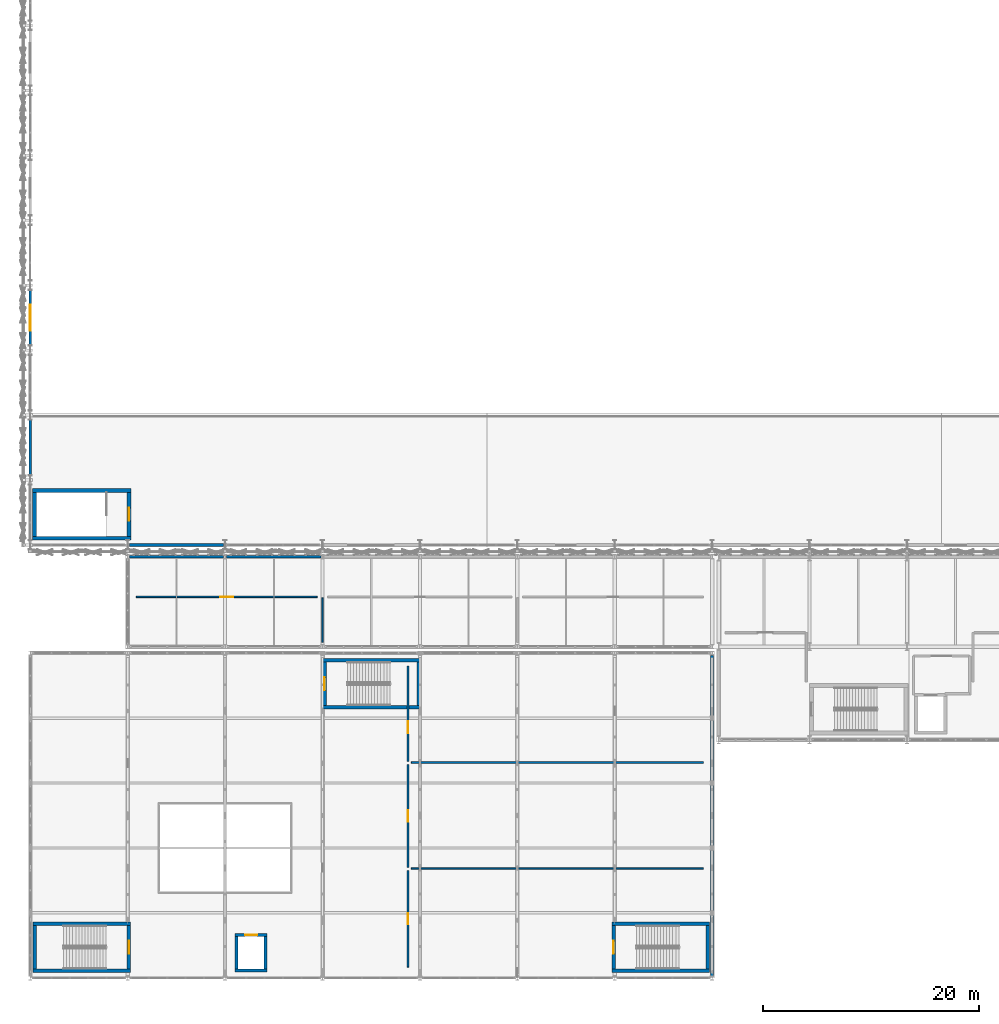
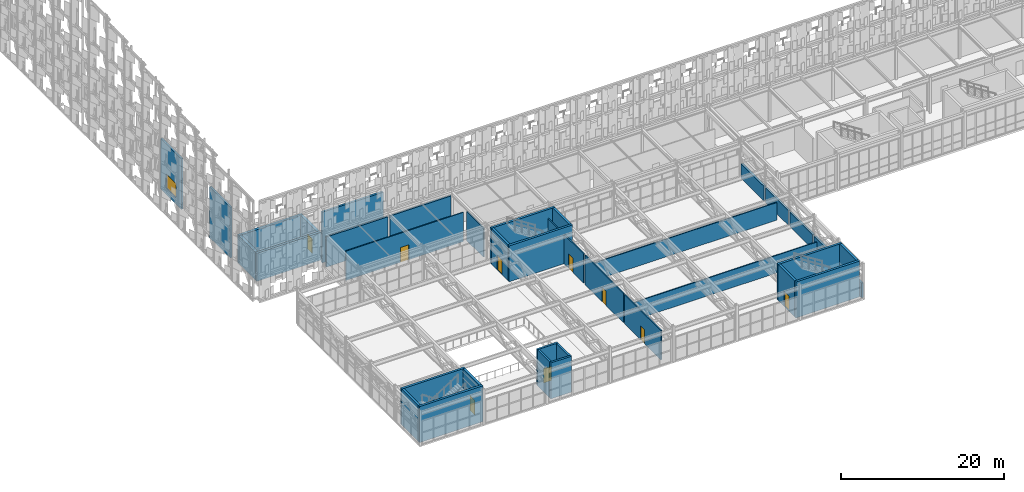
# One storey, part 155 of 210: 37 walls, 9 doors, 1 window, 10 openings.
"""IFC4 building model written with IfcOpenShell, lengths in metres."""

from ifc_helpers import new_model, si_unit, direction, frame, frame_2d, origin, place, context, subcontext, project, spatial, rectangle, extrude, material, layer, layer_set, type_object, element, fill, save


model = new_model("IFC4")

# Units and contexts
model_context = context("Model", 3, precision=1e-05, world=origin(), true_north=direction((0.0, 1.0)))
body_context = subcontext(model_context, "Body", "Model", "MODEL_VIEW")
ifc_project = project(units=[si_unit("LENGTHUNIT", "METRE"), si_unit("AREAUNIT", "SQUARE_METRE"), si_unit("VOLUMEUNIT", "CUBIC_METRE"), si_unit("PLANEANGLEUNIT", "RADIAN"), si_unit("MASSUNIT", "GRAM", prefix="KILO")], contexts=[model_context])

# Site, building, storey
site_placement = place(None, origin())
site = spatial("IfcSite", under=ifc_project, at=site_placement, CompositionType="ELEMENT")
building_placement = place(site_placement, origin())
building = spatial("IfcBuilding", under=site, at=building_placement, Name="Kaldris Quays Convention Centre", CompositionType="ELEMENT")
storey_placement = place(building_placement, frame((0.0, 0.0, 6.0)))
storey = spatial("IfcBuildingStorey", under=building, at=storey_placement, Name="L01", CompositionType="ELEMENT", Elevation=6.0)

# Walls
ifc_material_1 = material(Name="Precast concrete C40/50", Category="concrete")
ifc_layer_1 = layer(ifc_material_1, 0.2880859375)
ifc_layer_set_1 = layer_set([ifc_layer_1], Name="Precast concrete C40/50")
wall_type_1 = type_object("IfcWallType", Name="EXTERIOR WALL EW03", PredefinedType="STANDARD", material=ifc_layer_set_1)
wall_1_placement = place(storey_placement, frame((29.14599609375, 56.0, 0.0), z_axis=(0.0, 0.0, 1.0), x_axis=(1.0, 0.0, 0.0)))
element("IfcWall", 1, at=wall_1_placement, inside=storey, type_object=wall_type_1, Name="L01 Exterior Wall EW03 5", PredefinedType="STANDARD", context=body_context, shape_type="SweptSolid", body=[
    extrude(rectangle(XDim=8.7080078125, YDim=0.2880859375, at=frame_2d((4.35400390625, 0.0))), origin(), (0.0, 0.0, 1.0), 7.60009765625),
])
for number, where, z_axis, x_axis, name in (
    (2, (83.0, 16.193603515625, 0.0), (0.0, 0.0, 1.0), (0.0, 1.0, 0.0), "L01 Exterior Wall EW03 161"),
    (3, (83.0, 22.193603515625, 0.0), (0.0, 0.0, 1.0), (0.0, 1.0, 0.0), "L01 Exterior Wall EW03 162"),
    (4, (83.0, 28.193603515625, 0.0), (0.0, 0.0, 1.0), (0.0, 1.0, 0.0), "L01 Exterior Wall EW03 163"),
    (5, (83.0, 34.193603515625, 0.0), (0.0, 0.0, 1.0), (0.0, 1.0, 0.0), "L01 Exterior Wall EW03 164"),
    (6, (83.0, 40.193603515625, 0.0), (0.0, 0.0, 1.0), (0.0, 1.0, 0.0), "L01 Exterior Wall EW03 165"),
):
    element("IfcWall", number, at=place(storey_placement, frame(where, z_axis=z_axis, x_axis=x_axis)), inside=storey, type_object=wall_type_1, Name=name, PredefinedType="STANDARD", context=body_context, shape_type="SweptSolid", body=[
        extrude(rectangle(XDim=5.61279296875, YDim=0.2880859375, at=frame_2d((2.806396484375, 0.0))), origin(), (0.0, 0.0, 1.0), 2.199951171875),
    ])
ifc_layer_2 = layer(ifc_material_1, 0.263916015625)
ifc_layer_set_2 = layer_set([ifc_layer_2], Name="Precast concrete C40/50")
wall_type_2 = type_object("IfcWallType", Name="EXTERIOR WALL EW04", PredefinedType="STANDARD", material=ifc_layer_set_2)
wall_2_placement = place(storey_placement, frame((20.0, 62.446044921875, 0.0), z_axis=(0.0, 0.0, 1.0), x_axis=(0.0, 1.0, 0.0)))
element("IfcWall", 7, at=wall_2_placement, inside=storey, type_object=wall_type_2, Name="L01 Exterior Wall EW04 47", PredefinedType="STANDARD", context=body_context, shape_type="SweptSolid", body=[
    extrude(rectangle(XDim=5.10791015625, YDim=0.263916015625, at=frame_2d((2.553955078125, 0.0))), origin(), (0.0, 0.0, 1.0), 7.60009765625),
])

# Wall, opening, window
wall_3_placement = place(storey_placement, frame((20.0, 74.446044921875, 0.0), z_axis=(0.0, 0.0, 1.0), x_axis=(0.0, 1.0, 0.0)))
wall_3 = element("IfcWall", 8, at=wall_3_placement, inside=storey, type_object=wall_type_2, Name="L01 Exterior Wall EW04 54", PredefinedType="STANDARD", context=body_context, shape_type="SweptSolid", body=[
    extrude(rectangle(XDim=5.10791015625, YDim=0.263916015625, at=frame_2d((2.553955078125, 0.0))), origin(), (0.0, 0.0, 1.0), 7.60009765625),
])
opening_1_placement = place(wall_3_placement, frame((1.35400390625, 0.0, 1.0)))
opening_1 = element("IfcOpeningElement", 9, at=opening_1_placement, cuts=wall_3, Name="Opening WN01", PredefinedType="OPENING", context=body_context, shape_type="SweptSolid", body=[
    extrude(rectangle(XDim=2.39990234375, YDim=2.10009765625, at=frame_2d((1.199951171875, 1.050048828125))), frame((0.0, 0.14208984375, 0.0), z_axis=(0.0, -1.0, 0.0), x_axis=(1.0, 0.0, 0.0)), (0.0, 0.0, 1.0), 0.283935546875),
])
ifc_material_2 = material(Name="Triple low-E insulated glazing", Category="glass")
window_type = type_object("IfcWindowType", Name="TRIPLE GLAZED WINDOW WN01", PartitioningType="SINGLE_PANEL", PredefinedType="WINDOW", material=ifc_material_2)
window_placement = place(opening_1_placement, origin())
window = element("IfcWindow", 10, at=window_placement, inside=storey, type_object=window_type, Name="L01 Exterior Window WN01 18", OverallHeight=2.10009765625, OverallWidth=2.39990234375, PartitioningType="SINGLE_PANEL", PredefinedType="WINDOW", context=body_context, shape_type="SweptSolid", body=[
    extrude(rectangle(XDim=2.39990234375, YDim=2.10009765625, at=frame_2d((1.199951171875, 1.050048828125))), frame((0.0, 0.030029296875, 0.0), z_axis=(0.0, -1.0, 0.0), x_axis=(1.0, 0.0, 0.0)), (0.0, 0.0, 1.0), 0.06005859375),
])
fill(opening_1, window)

# Walls
ifc_material_3 = material(Name="Anodized aluminium insulated cassette", Category="aluminium")
ifc_layer_3 = layer(ifc_material_3, 0.221923828125)
ifc_layer_set_3 = layer_set([ifc_layer_3], Name="Anodized aluminium insulated cassette")
wall_type_3 = type_object("IfcWallType", Name="EXTERIOR WALL EW06", PredefinedType="STANDARD", material=ifc_layer_set_3)
for number, where, z_axis, x_axis, name in (
    (11, (29.14599609375, 54.89990234375, 0.0), (0.0, 0.0, 1.0), (1.0, 0.0, 0.0), "L01 Exterior Wall EW06 215"),
    (12, (38.14599609375, 54.89990234375, 0.0), (0.0, 0.0, 1.0), (1.0, 0.0, 0.0), "L01 Exterior Wall EW06 216"),
):
    element("IfcWall", number, at=place(storey_placement, frame(where, z_axis=z_axis, x_axis=x_axis)), inside=storey, type_object=wall_type_3, Name=name, PredefinedType="STANDARD", context=body_context, shape_type="SweptSolid", body=[
        extrude(rectangle(XDim=8.7080078125, YDim=0.221923828125, at=frame_2d((4.35400390625, 0.0))), origin(), (0.0, 0.0, 1.0), 4.528076171875),
    ])

# Wall, opening, door
ifc_material_4 = material(Name="Acoustic gypsum stud partition", Category="gypsum")
ifc_layer_4 = layer(ifc_material_4, 0.162109375)
ifc_layer_set_4 = layer_set([ifc_layer_4], Name="Acoustic gypsum stud partition")
wall_type_4 = type_object("IfcWallType", Name="INTERIOR WALL IW03", PredefinedType="PARTITIONING", material=ifc_layer_set_4)
wall_4_placement = place(storey_placement, frame((54.89990234375, 17.0, 0.0), z_axis=(0.0, 0.0, 1.0), x_axis=(0.0, 1.0, 0.0)))
wall_4 = element("IfcWall", 13, at=wall_4_placement, inside=storey, type_object=wall_type_4, Name="L01 Interior Wall IW03 43", PredefinedType="PARTITIONING", context=body_context, shape_type="SweptSolid", body=[
    extrude(rectangle(XDim=8.89990234375, YDim=0.162109375, at=frame_2d((4.449951171875, 0.0))), origin(), (0.0, 0.0, 1.0), 4.39990234375),
])
opening_2_placement = place(wall_4_placement, frame((3.949951171875, 0.0, 0.0)))
opening_2 = element("IfcOpeningElement", 14, at=opening_2_placement, cuts=wall_4, Name="Opening ID04", PredefinedType="OPENING", context=body_context, shape_type="SweptSolid", body=[
    extrude(rectangle(XDim=1.0, YDim=2.14990234375, at=frame_2d((0.5, 1.074951171875))), frame((0.0, 0.091064453125, 0.0), z_axis=(0.0, -1.0, 0.0), x_axis=(1.0, 0.0, 0.0)), (0.0, 0.0, 1.0), 0.18212890625),
])
ifc_material_5 = material(Name="Timber acoustic leaf in steel frame", Category="steel")
door_type_1 = type_object("IfcDoorType", Name="INTERIOR DOOR ID04", OperationType="NOTDEFINED", PredefinedType="DOOR", material=ifc_material_5)
door_1_placement = place(opening_2_placement, origin())
door_1 = element("IfcDoor", 15, at=door_1_placement, inside=storey, type_object=door_type_1, Name="L01 Interior Door ID04 32", OperationType="SINGLE_SWING_RIGHT", OverallHeight=2.14990234375, OverallWidth=1.0, PredefinedType="DOOR", context=body_context, shape_type="SweptSolid", body=[
    extrude(rectangle(XDim=1.0, YDim=2.14990234375, at=frame_2d((0.5, 1.074951171875))), frame((0.0, 0.02490234375, 0.0), z_axis=(0.0, -1.0, 0.0), x_axis=(1.0, 0.0, 0.0)), (0.0, 0.0, 1.0), 0.050048828125),
])
fill(opening_2, door_1)

wall_5_placement = place(storey_placement, frame((54.89990234375, 26.199951171875, 0.0), z_axis=(0.0, 0.0, 1.0), x_axis=(0.0, 1.0, 0.0)))
wall_5 = element("IfcWall", 16, at=wall_5_placement, inside=storey, type_object=wall_type_4, Name="L01 Interior Wall IW03 44", PredefinedType="PARTITIONING", context=body_context, shape_type="SweptSolid", body=[
    extrude(rectangle(XDim=9.5, YDim=0.162109375, at=frame_2d((4.75, 0.0))), origin(), (0.0, 0.0, 1.0), 4.39990234375),
])
opening_3_placement = place(wall_5_placement, frame((4.219970703125, 0.0, 0.0)))
opening_3 = element("IfcOpeningElement", 17, at=opening_3_placement, cuts=wall_5, Name="Opening ID05", PredefinedType="OPENING", context=body_context, shape_type="SweptSolid", body=[
    extrude(rectangle(XDim=1.06005859375, YDim=2.179931640625, at=frame_2d((0.530029296875, 1.08984375))), frame((0.0, 0.091064453125, 0.0), z_axis=(0.0, -1.0, 0.0), x_axis=(1.0, 0.0, 0.0)), (0.0, 0.0, 1.0), 0.18212890625),
])
door_type_2 = type_object("IfcDoorType", Name="INTERIOR DOOR ID05", OperationType="NOTDEFINED", PredefinedType="DOOR", material=ifc_material_5)
door_2_placement = place(opening_3_placement, origin())
door_2 = element("IfcDoor", 18, at=door_2_placement, inside=storey, type_object=door_type_2, Name="L01 Interior Door ID05 33", OperationType="SINGLE_SWING_LEFT", OverallHeight=2.179931640625, OverallWidth=1.06005859375, PredefinedType="DOOR", context=body_context, shape_type="SweptSolid", body=[
    extrude(rectangle(XDim=1.06005859375, YDim=2.179931640625, at=frame_2d((0.530029296875, 1.08984375))), frame((0.0, 0.02490234375, 0.0), z_axis=(0.0, -1.0, 0.0), x_axis=(1.0, 0.0, 0.0)), (0.0, 0.0, 1.0), 0.050048828125),
])
fill(opening_3, door_2)

wall_6_placement = place(storey_placement, frame((54.89990234375, 36.0, 0.0), z_axis=(0.0, 0.0, 1.0), x_axis=(0.0, 1.0, 0.0)))
wall_6 = element("IfcWall", 19, at=wall_6_placement, inside=storey, type_object=wall_type_4, Name="L01 Interior Wall IW03 45", PredefinedType="PARTITIONING", context=body_context, shape_type="SweptSolid", body=[
    extrude(rectangle(XDim=8.800048828125, YDim=0.162109375, at=frame_2d((4.39990234375, 0.0))), origin(), (0.0, 0.0, 1.0), 4.39990234375),
])
opening_4_placement = place(wall_6_placement, frame((2.590087890625, 0.0, 0.0)))
opening_4 = element("IfcOpeningElement", 20, at=opening_4_placement, cuts=wall_6, Name="Opening ID06", PredefinedType="OPENING", context=body_context, shape_type="SweptSolid", body=[
    extrude(rectangle(XDim=1.1201171875, YDim=2.219970703125, at=frame_2d((0.56005859375, 1.10986328125))), frame((0.0, 0.091064453125, 0.0), z_axis=(0.0, -1.0, 0.0), x_axis=(1.0, 0.0, 0.0)), (0.0, 0.0, 1.0), 0.18212890625),
])
door_type_3 = type_object("IfcDoorType", Name="INTERIOR DOOR ID06", OperationType="NOTDEFINED", PredefinedType="DOOR", material=ifc_material_5)
door_3_placement = place(opening_4_placement, origin())
door_3 = element("IfcDoor", 21, at=door_3_placement, inside=storey, type_object=door_type_3, Name="L01 Interior Door ID06 34", OperationType="SINGLE_SWING_RIGHT", OverallHeight=2.219970703125, OverallWidth=1.1201171875, PredefinedType="DOOR", context=body_context, shape_type="SweptSolid", body=[
    extrude(rectangle(XDim=1.1201171875, YDim=2.219970703125, at=frame_2d((0.56005859375, 1.10986328125))), frame((0.0, 0.02490234375, 0.0), z_axis=(0.0, -1.0, 0.0), x_axis=(1.0, 0.0, 0.0)), (0.0, 0.0, 1.0), 0.050048828125),
])
fill(opening_4, door_3)

ifc_layer_5 = layer(ifc_material_4, 0.14794921875)
ifc_layer_set_5 = layer_set([ifc_layer_5], Name="Acoustic gypsum stud partition")
wall_type_5 = type_object("IfcWallType", Name="INTERIOR WALL IW04", PredefinedType="PARTITIONING", material=ifc_layer_set_5)
wall_7_placement = place(storey_placement, frame((29.800048828125, 51.199951171875, 0.0), z_axis=(0.0, 0.0, 1.0), x_axis=(1.0, 0.0, 0.0)))
wall_7 = element("IfcWall", 22, at=wall_7_placement, inside=storey, type_object=wall_type_5, Name="L01 Interior Wall IW04 48", PredefinedType="PARTITIONING", context=body_context, shape_type="SweptSolid", body=[
    extrude(rectangle(XDim=16.699951171875, YDim=0.14794921875, at=frame_2d((8.35009765625, 0.0))), origin(), (0.0, 0.0, 1.0), 4.39990234375),
])
opening_5_placement = place(wall_7_placement, frame((7.760009765625, 0.0, 0.0)))
opening_5 = element("IfcOpeningElement", 23, at=opening_5_placement, cuts=wall_7, Name="Opening ID07", PredefinedType="OPENING", context=body_context, shape_type="SweptSolid", body=[
    extrude(rectangle(XDim=1.179931640625, YDim=2.25, at=frame_2d((0.58984375, 1.125))), frame((0.0, 0.083984375, 0.0), z_axis=(0.0, -1.0, 0.0), x_axis=(1.0, 0.0, 0.0)), (0.0, 0.0, 1.0), 0.16796875),
])
door_type_4 = type_object("IfcDoorType", Name="INTERIOR DOOR ID07", OperationType="NOTDEFINED", PredefinedType="DOOR", material=ifc_material_5)
door_4_placement = place(opening_5_placement, origin())
door_4 = element("IfcDoor", 24, at=door_4_placement, inside=storey, type_object=door_type_4, Name="L01 Interior Door ID07 35", OperationType="SINGLE_SWING_LEFT", OverallHeight=2.25, OverallWidth=1.179931640625, PredefinedType="DOOR", context=body_context, shape_type="SweptSolid", body=[
    extrude(rectangle(XDim=1.179931640625, YDim=2.25, at=frame_2d((0.58984375, 1.125))), frame((0.0, 0.02490234375, 0.0), z_axis=(0.0, -1.0, 0.0), x_axis=(1.0, 0.0, 0.0)), (0.0, 0.0, 1.0), 0.050048828125),
])
fill(opening_5, door_4)

# Walls
ifc_material_6 = material(Name="Steel S355J2 acoustic operable panel", Category="steel")
ifc_layer_6 = layer(ifc_material_6, 0.14208984375)
ifc_layer_set_6 = layer_set([ifc_layer_6], Name="Steel S355J2 acoustic operable panel")
wall_type_6 = type_object("IfcWallType", Name="INTERIOR WALL MW01", PredefinedType="MOVABLE", material=ifc_layer_set_6)
for number, where, z_axis, x_axis, name in (
    (25, (55.199951171875, 26.10009765625, 0.0), (0.0, 0.0, 1.0), (1.0, 0.0, 0.0), "L01 Interior Wall MW01 46"),
    (26, (55.199951171875, 35.89990234375, 0.0), (0.0, 0.0, 1.0), (1.0, 0.0, 0.0), "L01 Interior Wall MW01 47"),
):
    element("IfcWall", number, at=place(storey_placement, frame(where, z_axis=z_axis, x_axis=x_axis)), inside=storey, type_object=wall_type_6, Name=name, PredefinedType="MOVABLE", context=body_context, shape_type="SweptSolid", body=[
        extrude(rectangle(XDim=27.0, YDim=0.14208984375, at=frame_2d((13.5, 0.0))), origin(), (0.0, 0.0, 1.0), 2.64990234375),
    ])
wall_8_placement = place(storey_placement, frame((47.0, 47.0, 0.0), z_axis=(0.0, 0.0, 1.0), x_axis=(0.0, 1.0, 0.0)))
element("IfcWall", 27, at=wall_8_placement, inside=storey, type_object=wall_type_6, Name="L01 Interior Wall MW01 51", PredefinedType="MOVABLE", context=body_context, shape_type="SweptSolid", body=[
    extrude(rectangle(XDim=4.10009765625, YDim=0.14208984375, at=frame_2d((2.050048828125, 0.0))), origin(), (0.0, 0.0, 1.0), 4.39990234375),
])
ifc_material_7 = material(Name="Concrete C40/50", Category="concrete")
ifc_layer_7 = layer(ifc_material_7, 0.35009765625)
ifc_layer_set_7 = layer_set([ifc_layer_7], Name="Concrete C40/50")
wall_type_7 = type_object("IfcWallType", Name="STRUCTURAL WALL SW01", PredefinedType="SHEAR", material=ifc_layer_set_7)
for number, where, z_axis, x_axis, name in (
    (28, (20.199951171875, 56.625, 0.0), (0.0, 0.0, 1.0), (1.0, 0.0, 0.0), "L01 Core Shear Wall CORE-ST01-L01-S"),
    (29, (20.199951171875, 61.02490234375, 0.0), (0.0, 0.0, 1.0), (1.0, 0.0, 0.0), "L01 Core Shear Wall CORE-ST01-L01-N"),
):
    element("IfcWall", number, at=place(storey_placement, frame(where, z_axis=z_axis, x_axis=x_axis)), inside=storey, type_object=wall_type_7, Name=name, PredefinedType="SHEAR", context=body_context, shape_type="SweptSolid", body=[
        extrude(rectangle(XDim=9.10009765625, YDim=0.35009765625, at=frame_2d((4.550048828125, 0.0))), origin(), (0.0, 0.0, 1.0), 4.199951171875),
    ])
wall_9_placement = place(storey_placement, frame((20.375, 56.800048828125, 0.0), z_axis=(0.0, 0.0, 1.0), x_axis=(0.0, 1.0, 0.0)))
element("IfcWall", 30, at=wall_9_placement, inside=storey, type_object=wall_type_7, Name="L01 Core Shear Wall CORE-ST01-L01-W", PredefinedType="SHEAR", context=body_context, shape_type="SweptSolid", body=[
    extrude(rectangle(XDim=4.050048828125, YDim=0.35009765625, at=frame_2d((2.02490234375, 0.0))), origin(), (0.0, 0.0, 1.0), 4.199951171875),
])

# Wall, opening, door
wall_10_placement = place(storey_placement, frame((29.125, 56.800048828125, 0.0), z_axis=(0.0, 0.0, 1.0), x_axis=(0.0, 1.0, 0.0)))
wall_10 = element("IfcWall", 31, at=wall_10_placement, inside=storey, type_object=wall_type_7, Name="L01 Core Shear Wall CORE-ST01-L01-E", PredefinedType="SHEAR", context=body_context, shape_type="SweptSolid", body=[
    extrude(rectangle(XDim=4.050048828125, YDim=0.35009765625, at=frame_2d((2.02490234375, 0.0))), origin(), (0.0, 0.0, 1.0), 4.199951171875),
])
opening_6_placement = place(wall_10_placement, frame((1.425048828125, 0.0, 0.0)))
opening_6 = element("IfcOpeningElement", 32, at=opening_6_placement, cuts=wall_10, Name="Opening ID03", PredefinedType="OPENING", context=body_context, shape_type="SweptSolid", body=[
    extrude(rectangle(XDim=1.199951171875, YDim=2.199951171875, at=frame_2d((0.60009765625, 1.10009765625))), frame((0.0, 0.18505859375, 0.0), z_axis=(0.0, -1.0, 0.0), x_axis=(1.0, 0.0, 0.0)), (0.0, 0.0, 1.0), 0.3701171875),
])
ifc_material_8 = material(Name="Steel S355J2 fire-resisting door", Category="steel")
door_type_5 = type_object("IfcDoorType", Name="INTERIOR DOOR ID03", OperationType="NOTDEFINED", PredefinedType="DOOR", material=ifc_material_8)
door_5_placement = place(opening_6_placement, origin())
door_5 = element("IfcDoor", 33, at=door_5_placement, inside=storey, type_object=door_type_5, Name="L01 Escape Stair ST01 Fire Door", OperationType="SINGLE_SWING_LEFT", OverallHeight=2.199951171875, OverallWidth=1.199951171875, PredefinedType="DOOR", context=body_context, shape_type="SweptSolid", body=[
    extrude(rectangle(XDim=1.199951171875, YDim=2.199951171875, at=frame_2d((0.60009765625, 1.10009765625))), frame((0.0, 0.02490234375, 0.0), z_axis=(0.0, -1.0, 0.0), x_axis=(1.0, 0.0, 0.0)), (0.0, 0.0, 1.0), 0.050048828125),
])
fill(opening_6, door_5)

# Walls
ifc_layer_8 = layer(ifc_material_7, 0.320068359375)
ifc_layer_set_8 = layer_set([ifc_layer_8], Name="Concrete C40/50")
wall_type_8 = type_object("IfcWallType", Name="STRUCTURAL WALL SW02", PredefinedType="SHEAR", material=ifc_layer_set_8)
for number, where, z_axis, x_axis, name in (
    (34, (20.22998046875, 16.639892578125, 0.0), (0.0, 0.0, 1.0), (1.0, 0.0, 0.0), "L01 Core Shear Wall CORE-ST05-L01-S"),
    (35, (20.22998046875, 21.010009765625, 0.0), (0.0, 0.0, 1.0), (1.0, 0.0, 0.0), "L01 Core Shear Wall CORE-ST05-L01-N"),
):
    element("IfcWall", number, at=place(storey_placement, frame(where, z_axis=z_axis, x_axis=x_axis)), inside=storey, type_object=wall_type_8, Name=name, PredefinedType="SHEAR", context=body_context, shape_type="SweptSolid", body=[
        extrude(rectangle(XDim=9.0400390625, YDim=0.320068359375, at=frame_2d((4.52001953125, 0.0))), origin(), (0.0, 0.0, 1.0), 5.39990234375),
    ])
wall_11_placement = place(storey_placement, frame((20.389892578125, 16.800048828125, 0.0), z_axis=(0.0, 0.0, 1.0), x_axis=(0.0, 1.0, 0.0)))
element("IfcWall", 36, at=wall_11_placement, inside=storey, type_object=wall_type_8, Name="L01 Core Shear Wall CORE-ST05-L01-W", PredefinedType="SHEAR", context=body_context, shape_type="SweptSolid", body=[
    extrude(rectangle(XDim=4.050048828125, YDim=0.320068359375, at=frame_2d((2.02490234375, 0.0))), origin(), (0.0, 0.0, 1.0), 5.39990234375),
])

# Wall, opening, door
wall_12_placement = place(storey_placement, frame((29.110107421875, 16.800048828125, 0.0), z_axis=(0.0, 0.0, 1.0), x_axis=(0.0, 1.0, 0.0)))
wall_12 = element("IfcWall", 37, at=wall_12_placement, inside=storey, type_object=wall_type_8, Name="L01 Core Shear Wall CORE-ST05-L01-E", PredefinedType="SHEAR", context=body_context, shape_type="SweptSolid", body=[
    extrude(rectangle(XDim=4.050048828125, YDim=0.320068359375, at=frame_2d((2.02490234375, 0.0))), origin(), (0.0, 0.0, 1.0), 5.39990234375),
])
opening_7_placement = place(wall_12_placement, frame((1.425048828125, 0.0, 0.0)))
opening_7 = element("IfcOpeningElement", 38, at=opening_7_placement, cuts=wall_12, Name="Opening ID03", PredefinedType="OPENING", context=body_context, shape_type="SweptSolid", body=[
    extrude(rectangle(XDim=1.199951171875, YDim=2.199951171875, at=frame_2d((0.60009765625, 1.10009765625))), frame((0.0, 0.169921875, 0.0), z_axis=(0.0, -1.0, 0.0), x_axis=(1.0, 0.0, 0.0)), (0.0, 0.0, 1.0), 0.340087890625),
])
door_6_placement = place(opening_7_placement, origin())
door_6 = element("IfcDoor", 39, at=door_6_placement, inside=storey, type_object=door_type_5, Name="L01 Escape Stair ST05 Fire Door", OperationType="SINGLE_SWING_LEFT", OverallHeight=2.199951171875, OverallWidth=1.199951171875, PredefinedType="DOOR", context=body_context, shape_type="SweptSolid", body=[
    extrude(rectangle(XDim=1.199951171875, YDim=2.199951171875, at=frame_2d((0.60009765625, 1.10009765625))), frame((0.0, 0.02490234375, 0.0), z_axis=(0.0, -1.0, 0.0), x_axis=(1.0, 0.0, 0.0)), (0.0, 0.0, 1.0), 0.050048828125),
])
fill(opening_7, door_6)

# Walls
for number, where, z_axis, x_axis, name in (
    (40, (73.72998046875, 16.639892578125, 0.0), (0.0, 0.0, 1.0), (1.0, 0.0, 0.0), "L01 Core Shear Wall CORE-ST06-L01-S"),
    (41, (73.72998046875, 21.010009765625, 0.0), (0.0, 0.0, 1.0), (1.0, 0.0, 0.0), "L01 Core Shear Wall CORE-ST06-L01-N"),
):
    element("IfcWall", number, at=place(storey_placement, frame(where, z_axis=z_axis, x_axis=x_axis)), inside=storey, type_object=wall_type_8, Name=name, PredefinedType="SHEAR", context=body_context, shape_type="SweptSolid", body=[
        extrude(rectangle(XDim=9.0400390625, YDim=0.320068359375, at=frame_2d((4.52001953125, 0.0))), origin(), (0.0, 0.0, 1.0), 5.39990234375),
    ])

# Wall, opening, door
wall_13_placement = place(storey_placement, frame((73.889892578125, 16.800048828125, 0.0), z_axis=(0.0, 0.0, 1.0), x_axis=(0.0, 1.0, 0.0)))
wall_13 = element("IfcWall", 42, at=wall_13_placement, inside=storey, type_object=wall_type_8, Name="L01 Core Shear Wall CORE-ST06-L01-W", PredefinedType="SHEAR", context=body_context, shape_type="SweptSolid", body=[
    extrude(rectangle(XDim=4.050048828125, YDim=0.320068359375, at=frame_2d((2.02490234375, 0.0))), origin(), (0.0, 0.0, 1.0), 5.39990234375),
])
opening_8_placement = place(wall_13_placement, frame((1.425048828125, 0.0, 0.0)))
opening_8 = element("IfcOpeningElement", 43, at=opening_8_placement, cuts=wall_13, Name="Opening ID03", PredefinedType="OPENING", context=body_context, shape_type="SweptSolid", body=[
    extrude(rectangle(XDim=1.199951171875, YDim=2.199951171875, at=frame_2d((0.60009765625, 1.10009765625))), frame((0.0, 0.169921875, 0.0), z_axis=(0.0, -1.0, 0.0), x_axis=(1.0, 0.0, 0.0)), (0.0, 0.0, 1.0), 0.340087890625),
])
door_7_placement = place(opening_8_placement, frame((1.199951171875, 0.0, 0.0), z_axis=(0.0, 0.0, 1.0), x_axis=(-1.0, 0.0, 0.0)))
door_7 = element("IfcDoor", 44, at=door_7_placement, inside=storey, type_object=door_type_5, Name="L01 Escape Stair ST06 Fire Door", OperationType="SINGLE_SWING_RIGHT", OverallHeight=2.199951171875, OverallWidth=1.199951171875, PredefinedType="DOOR", context=body_context, shape_type="SweptSolid", body=[
    extrude(rectangle(XDim=1.199951171875, YDim=2.199951171875, at=frame_2d((0.60009765625, 1.10009765625))), frame((0.0, 0.02490234375, 0.0), z_axis=(0.0, -1.0, 0.0), x_axis=(1.0, 0.0, 0.0)), (0.0, 0.0, 1.0), 0.050048828125),
])
fill(opening_8, door_7)

# Walls
wall_14_placement = place(storey_placement, frame((82.610107421875, 16.800048828125, 0.0), z_axis=(0.0, 0.0, 1.0), x_axis=(0.0, 1.0, 0.0)))
element("IfcWall", 45, at=wall_14_placement, inside=storey, type_object=wall_type_8, Name="L01 Core Shear Wall CORE-ST06-L01-E", PredefinedType="SHEAR", context=body_context, shape_type="SweptSolid", body=[
    extrude(rectangle(XDim=4.050048828125, YDim=0.320068359375, at=frame_2d((2.02490234375, 0.0))), origin(), (0.0, 0.0, 1.0), 5.39990234375),
])
for number, where, z_axis, x_axis, name in (
    (46, (47.030029296875, 40.989990234375, 0.0), (0.0, 0.0, 1.0), (1.0, 0.0, 0.0), "L01 Core Shear Wall CORE-ST07-L01-S"),
    (47, (47.030029296875, 45.360107421875, 0.0), (0.0, 0.0, 1.0), (1.0, 0.0, 0.0), "L01 Core Shear Wall CORE-ST07-L01-N"),
):
    element("IfcWall", number, at=place(storey_placement, frame(where, z_axis=z_axis, x_axis=x_axis)), inside=storey, type_object=wall_type_8, Name=name, PredefinedType="SHEAR", context=body_context, shape_type="SweptSolid", body=[
        extrude(rectangle(XDim=9.0400390625, YDim=0.320068359375, at=frame_2d((4.52001953125, 0.0))), origin(), (0.0, 0.0, 1.0), 5.39990234375),
    ])

# Wall, opening, door
wall_15_placement = place(storey_placement, frame((47.18994140625, 41.14990234375, 0.0), z_axis=(0.0, 0.0, 1.0), x_axis=(0.0, 1.0, 0.0)))
wall_15 = element("IfcWall", 48, at=wall_15_placement, inside=storey, type_object=wall_type_8, Name="L01 Core Shear Wall CORE-ST07-L01-W", PredefinedType="SHEAR", context=body_context, shape_type="SweptSolid", body=[
    extrude(rectangle(XDim=4.050048828125, YDim=0.320068359375, at=frame_2d((2.02490234375, 0.0))), origin(), (0.0, 0.0, 1.0), 5.39990234375),
])
opening_9_placement = place(wall_15_placement, frame((1.425048828125, 0.0, 0.0)))
opening_9 = element("IfcOpeningElement", 49, at=opening_9_placement, cuts=wall_15, Name="Opening ID03", PredefinedType="OPENING", context=body_context, shape_type="SweptSolid", body=[
    extrude(rectangle(XDim=1.199951171875, YDim=2.199951171875, at=frame_2d((0.60009765625, 1.10009765625))), frame((0.0, 0.169921875, 0.0), z_axis=(0.0, -1.0, 0.0), x_axis=(1.0, 0.0, 0.0)), (0.0, 0.0, 1.0), 0.340087890625),
])
door_8_placement = place(opening_9_placement, frame((1.199951171875, 0.0, 0.0), z_axis=(0.0, 0.0, 1.0), x_axis=(-1.0, 0.0, 0.0)))
door_8 = element("IfcDoor", 50, at=door_8_placement, inside=storey, type_object=door_type_5, Name="L01 Escape Stair ST07 Fire Door", OperationType="SINGLE_SWING_LEFT", OverallHeight=2.199951171875, OverallWidth=1.199951171875, PredefinedType="DOOR", context=body_context, shape_type="SweptSolid", body=[
    extrude(rectangle(XDim=1.199951171875, YDim=2.199951171875, at=frame_2d((0.60009765625, 1.10009765625))), frame((0.0, 0.02490234375, 0.0), z_axis=(0.0, -1.0, 0.0), x_axis=(1.0, 0.0, 0.0)), (0.0, 0.0, 1.0), 0.050048828125),
])
fill(opening_9, door_8)

# Walls
wall_16_placement = place(storey_placement, frame((55.909912109375, 41.14990234375, 0.0), z_axis=(0.0, 0.0, 1.0), x_axis=(0.0, 1.0, 0.0)))
element("IfcWall", 51, at=wall_16_placement, inside=storey, type_object=wall_type_8, Name="L01 Core Shear Wall CORE-ST07-L01-E", PredefinedType="SHEAR", context=body_context, shape_type="SweptSolid", body=[
    extrude(rectangle(XDim=4.050048828125, YDim=0.320068359375, at=frame_2d((2.02490234375, 0.0))), origin(), (0.0, 0.0, 1.0), 5.39990234375),
])
ifc_layer_9 = layer(ifc_material_7, 0.280029296875)
ifc_layer_set_9 = layer_set([ifc_layer_9], Name="Concrete C40/50")
wall_type_9 = type_object("IfcWallType", Name="STRUCTURAL WALL SW03", PredefinedType="SHEAR", material=ifc_layer_set_9)
wall_17_placement = place(storey_placement, frame((38.919921875, 16.659912109375, 0.0), z_axis=(0.0, 0.0, 1.0), x_axis=(1.0, 0.0, 0.0)))
element("IfcWall", 52, at=wall_17_placement, inside=storey, type_object=wall_type_9, Name="L01 Core Shear Wall LSHAFT-PL01-L01-S", PredefinedType="SHEAR", context=body_context, shape_type="SweptSolid", body=[
    extrude(rectangle(XDim=2.9599609375, YDim=0.280029296875, at=frame_2d((1.47998046875, 0.0))), origin(), (0.0, 0.0, 1.0), 5.39990234375),
])

# Wall, opening, door
wall_18_placement = place(storey_placement, frame((38.919921875, 19.93994140625, 0.0), z_axis=(0.0, 0.0, 1.0), x_axis=(1.0, 0.0, 0.0)))
wall_18 = element("IfcWall", 53, at=wall_18_placement, inside=storey, type_object=wall_type_9, Name="L01 Core Shear Wall LSHAFT-PL01-L01-N", PredefinedType="SHEAR", context=body_context, shape_type="SweptSolid", body=[
    extrude(rectangle(XDim=2.9599609375, YDim=0.280029296875, at=frame_2d((1.47998046875, 0.0))), origin(), (0.0, 0.0, 1.0), 5.39990234375),
])
opening_10_placement = place(wall_18_placement, frame((0.929931640625, 0.0, 0.0)))
opening_10 = element("IfcOpeningElement", 54, at=opening_10_placement, cuts=wall_18, Name="Opening LD01", PredefinedType="OPENING", context=body_context, shape_type="SweptSolid", body=[
    extrude(rectangle(XDim=1.10009765625, YDim=2.14990234375, at=frame_2d((0.550048828125, 1.074951171875))), frame((0.0, 0.14990234375, 0.0), z_axis=(0.0, -1.0, 0.0), x_axis=(1.0, 0.0, 0.0)), (0.0, 0.0, 1.0), 0.300048828125),
])
ifc_material_9 = material(Name="Stainless steel 1.4301 lift landing door", Category="steel")
door_type_6 = type_object("IfcDoorType", Name="INTERIOR DOOR LD01", OperationType="DOUBLE_DOOR_SLIDING", PredefinedType="DOOR", material=ifc_material_9)
door_9_placement = place(opening_10_placement, origin())
door_9 = element("IfcDoor", 55, at=door_9_placement, inside=storey, type_object=door_type_6, Name="L01 PL01 Sliding Lift Landing Door", OperationType="DOUBLE_DOOR_SLIDING", OverallHeight=2.14990234375, OverallWidth=1.10009765625, PredefinedType="DOOR", context=body_context, shape_type="SweptSolid", body=[
    extrude(rectangle(XDim=1.10009765625, YDim=2.14990234375, at=frame_2d((0.550048828125, 1.074951171875))), frame((0.0, 0.02490234375, 0.0), z_axis=(0.0, -1.0, 0.0), x_axis=(1.0, 0.0, 0.0)), (0.0, 0.0, 1.0), 0.050048828125),
])
fill(opening_10, door_9)

# Walls
for number, where, z_axis, x_axis, name in (
    (56, (39.06005859375, 16.800048828125, 0.0), (0.0, 0.0, 1.0), (0.0, 1.0, 0.0), "L01 Core Shear Wall LSHAFT-PL01-L01-W"),
    (57, (41.739990234375, 16.800048828125, 0.0), (0.0, 0.0, 1.0), (0.0, 1.0, 0.0), "L01 Core Shear Wall LSHAFT-PL01-L01-E"),
):
    element("IfcWall", number, at=place(storey_placement, frame(where, z_axis=z_axis, x_axis=x_axis)), inside=storey, type_object=wall_type_9, Name=name, PredefinedType="SHEAR", context=body_context, shape_type="SweptSolid", body=[
        extrude(rectangle(XDim=3.0, YDim=0.280029296875, at=frame_2d((1.5, 0.0))), origin(), (0.0, 0.0, 1.0), 5.39990234375),
    ])

save(model, "model.ifc")
